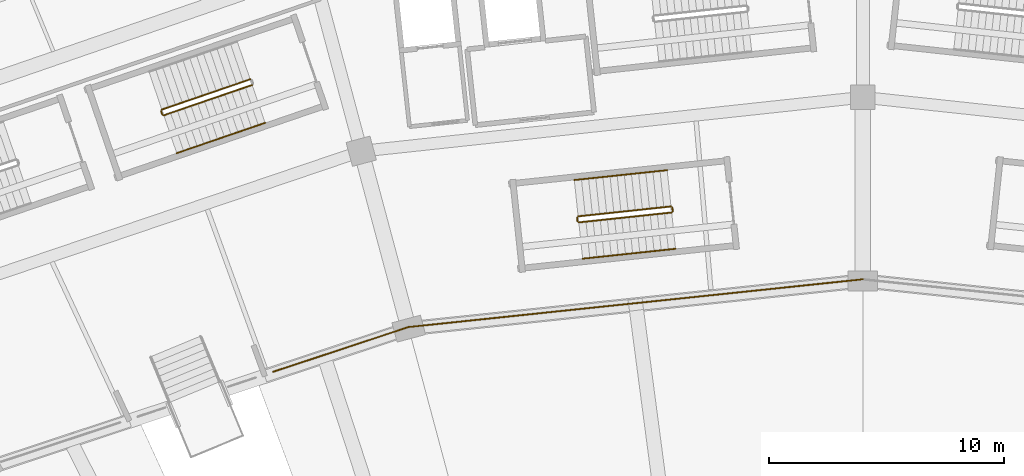
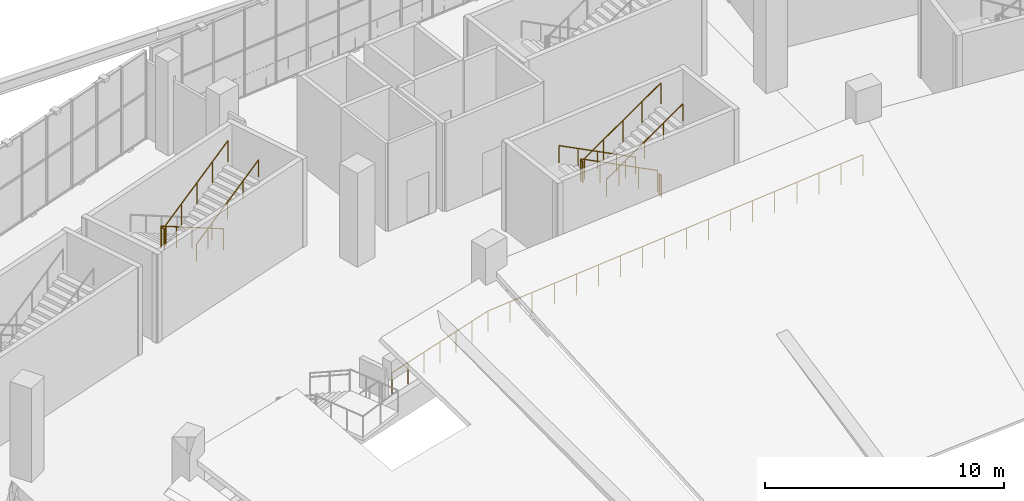
# One storey, part 166 of 183: 12 railings.
"""IFC4 building model written with IfcOpenShell, lengths in metres."""

from ifc_helpers import new_model, si_unit, direction, frame, origin, origin_2d, place, context, subcontext, project, spatial, circle, extrude, material, type_object, element, save


model = new_model("IFC4")

# Units and contexts
model_context = context("Model", 3, precision=1e-05, world=origin(), true_north=direction((0.0, 1.0)))
body_context = subcontext(model_context, "Body", "Model", "MODEL_VIEW")
ifc_project = project(units=[si_unit("LENGTHUNIT", "METRE"), si_unit("AREAUNIT", "SQUARE_METRE"), si_unit("VOLUMEUNIT", "CUBIC_METRE"), si_unit("PLANEANGLEUNIT", "RADIAN"), si_unit("MASSUNIT", "GRAM", prefix="KILO")], contexts=[model_context])

# Site, building, storey
site_placement = place(None, origin())
site = spatial("IfcSite", under=ifc_project, at=site_placement, CompositionType="ELEMENT")
building_placement = place(site_placement, origin())
building = spatial("IfcBuilding", under=site, at=building_placement, Name="Zevraka Park Crest Stadium", CompositionType="ELEMENT")
storey_placement = place(building_placement, frame((0.0, 0.0, 5.39990234375)))
storey = spatial("IfcBuildingStorey", under=building, at=storey_placement, Name="L01", CompositionType="ELEMENT", Elevation=5.39990234375)

# Railings
ifc_material_1 = material(Name="Galvanised and bronze-finished steel balustrade", Category="steel")
railing_type_1 = type_object("IfcRailingType", Name="GR01", PredefinedType="GUARDRAIL", material=ifc_material_1)
railing_1_placement = place(storey_placement, frame((112.00390625, 151.570068359375, 0.0)))
element("IfcRailing", 1, at=railing_1_placement, inside=storey, type_object=railing_type_1, Name="Deck Edge Protection Guardrail GR01 L01-88", PredefinedType="GUARDRAIL", context=body_context, shape_type="SweptSolid", body=[
    extrude(circle(Radius=0.02392578125, at=origin_2d()), frame((0.0, 0.0, 1.076171875), z_axis=(-0.994524402359, -0.104504608089, 0.0), x_axis=(0.104504608089, -0.994524402359, 0.0)), (0.0, 0.0, 1.0), 19.397216796875),
    extrude(circle(Radius=0.02099609375, at=origin_2d()), origin(), (0.0, 0.0, 1.0), 1.052001953125),
    extrude(circle(Radius=0.02099609375, at=origin_2d()), frame((-1.134765625, -0.119140625, 0.0)), (0.0, 0.0, 1.0), 1.052001953125),
    extrude(circle(Radius=0.02099609375, at=origin_2d()), frame((-2.26953125, -0.238525390625, 0.0)), (0.0, 0.0, 1.0), 1.052001953125),
    extrude(circle(Radius=0.02099609375, at=origin_2d()), frame((-3.404296875, -0.357666015625, 0.0)), (0.0, 0.0, 1.0), 1.052001953125),
    extrude(circle(Radius=0.02099609375, at=origin_2d()), frame((-4.5390625, -0.47705078125, 0.0)), (0.0, 0.0, 1.0), 1.052001953125),
    extrude(circle(Radius=0.02099609375, at=origin_2d()), frame((-5.673828125, -0.59619140625, 0.0)), (0.0, 0.0, 1.0), 1.052001953125),
    extrude(circle(Radius=0.02099609375, at=origin_2d()), frame((-6.80859375, -0.71533203125, 0.0)), (0.0, 0.0, 1.0), 1.052001953125),
    extrude(circle(Radius=0.02099609375, at=origin_2d()), frame((-7.943359375, -0.834716796875, 0.0)), (0.0, 0.0, 1.0), 1.052001953125),
    extrude(circle(Radius=0.02099609375, at=origin_2d()), frame((-9.078125, -0.953857421875, 0.0)), (0.0, 0.0, 1.0), 1.052001953125),
    extrude(circle(Radius=0.02099609375, at=origin_2d()), frame((-10.212890625, -1.0732421875, 0.0)), (0.0, 0.0, 1.0), 1.052001953125),
    extrude(circle(Radius=0.02099609375, at=origin_2d()), frame((-11.34765625, -1.1923828125, 0.0)), (0.0, 0.0, 1.0), 1.052001953125),
    extrude(circle(Radius=0.02099609375, at=origin_2d()), frame((-12.482421875, -1.311767578125, 0.0)), (0.0, 0.0, 1.0), 1.052001953125),
    extrude(circle(Radius=0.02099609375, at=origin_2d()), frame((-13.6171875, -1.430908203125, 0.0)), (0.0, 0.0, 1.0), 1.052001953125),
    extrude(circle(Radius=0.02099609375, at=origin_2d()), frame((-14.751953125, -1.550048828125, 0.0)), (0.0, 0.0, 1.0), 1.052001953125),
    extrude(circle(Radius=0.02099609375, at=origin_2d()), frame((-15.88671875, -1.66943359375, 0.0)), (0.0, 0.0, 1.0), 1.052001953125),
    extrude(circle(Radius=0.02099609375, at=origin_2d()), frame((-17.021484375, -1.78857421875, 0.0)), (0.0, 0.0, 1.0), 1.052001953125),
    extrude(circle(Radius=0.02099609375, at=origin_2d()), frame((-18.15625, -1.907958984375, 0.0)), (0.0, 0.0, 1.0), 1.052001953125),
    extrude(circle(Radius=0.02099609375, at=origin_2d()), frame((-19.291015625, -2.027099609375, 0.0)), (0.0, 0.0, 1.0), 1.052001953125),
])
railing_2_placement = place(storey_placement, frame((92.712890625, 149.54296875, 0.0)))
element("IfcRailing", 2, at=railing_2_placement, inside=storey, type_object=railing_type_1, Name="Deck Edge Protection Guardrail GR01 L01-89", PredefinedType="GUARDRAIL", context=body_context, shape_type="SweptSolid", body=[
    extrude(circle(Radius=0.02392578125, at=origin_2d()), frame((0.0, 0.0, 1.076171875), z_axis=(-0.949481418616, -0.313823255517, 0.0), x_axis=(0.313823255517, -0.949481418616, 0.0)), (0.0, 0.0, 1.0), 6.064208984375),
    extrude(circle(Radius=0.02099609375, at=origin_2d()), origin(), (0.0, 0.0, 1.0), 1.052001953125),
    extrude(circle(Radius=0.02099609375, at=origin_2d()), frame((-0.959716796875, -0.317138671875, 0.0)), (0.0, 0.0, 1.0), 1.052001953125),
    extrude(circle(Radius=0.02099609375, at=origin_2d()), frame((-1.919189453125, -0.63427734375, 0.0)), (0.0, 0.0, 1.0), 1.052001953125),
    extrude(circle(Radius=0.02099609375, at=origin_2d()), frame((-2.87890625, -0.95166015625, 0.0)), (0.0, 0.0, 1.0), 1.052001953125),
    extrude(circle(Radius=0.02099609375, at=origin_2d()), frame((-3.838623046875, -1.268798828125, 0.0)), (0.0, 0.0, 1.0), 1.052001953125),
    extrude(circle(Radius=0.02099609375, at=origin_2d()), frame((-4.798095703125, -1.5859375, 0.0)), (0.0, 0.0, 1.0), 1.052001953125),
    extrude(circle(Radius=0.02099609375, at=origin_2d()), frame((-5.7578125, -1.903076171875, 0.0)), (0.0, 0.0, 1.0), 1.052001953125),
])
ifc_material_2 = material(Name="Powder-coated tubular steel stairwell guard", Category="steel")
railing_type_2 = type_object("IfcRailingType", Name="GR03", PredefinedType="GUARDRAIL", material=ifc_material_2)
railing_3_placement = place(storey_placement, frame((85.98388671875, 160.0634765625, 0.171630859375)))
element("IfcRailing", 3, at=railing_3_placement, inside=storey, type_object=railing_type_2, Name="L01 ST08 stair guard 1", PredefinedType="GUARDRAIL", context=body_context, shape_type="SweptSolid", body=[
    extrude(circle(Radius=0.02392578125, at=origin_2d()), frame((0.0, 0.0, 1.076171875), z_axis=(-0.824726794133, -0.282441418206, 0.489951589772), x_axis=(0.32399372979, -0.946059228091, 0.0)), (0.0, 0.0, 1.0), 4.54833984375),
    extrude(circle(Radius=0.02099609375, at=origin_2d()), origin(), (0.0, 0.0, 1.0), 1.052001953125),
    extrude(circle(Radius=0.02099609375, at=origin_2d()), frame((-0.937744140625, -0.3212890625, 0.55712890625)), (0.0, 0.0, 1.0), 1.052001953125),
    extrude(circle(Radius=0.02099609375, at=origin_2d()), frame((-1.87548828125, -0.642333984375, 1.1142578125)), (0.0, 0.0, 1.0), 1.052001953125),
    extrude(circle(Radius=0.02099609375, at=origin_2d()), frame((-2.8134765625, -0.96337890625, 1.67138671875)), (0.0, 0.0, 1.0), 1.052001953125),
    extrude(circle(Radius=0.02099609375, at=origin_2d()), frame((-3.751220703125, -1.28466796875, 2.228515625)), (0.0, 0.0, 1.0), 1.052001953125),
])
railing_4_placement = place(storey_placement, frame((82.201416015625, 158.71533203125, 2.400146484375)))
element("IfcRailing", 4, at=railing_4_placement, inside=storey, type_object=railing_type_2, Name="L01 ST08 stair guard 2", PredefinedType="GUARDRAIL", context=body_context, shape_type="SweptSolid", body=[
    extrude(circle(Radius=0.02392578125, at=origin_2d()), frame((0.0, 0.0, 1.076171875), z_axis=(0.324909238665, -0.945745201748, 0.0), x_axis=(0.945745201748, 0.324909238665, 0.0)), (0.0, 0.0, 1.0), 0.16015625),
    extrude(circle(Radius=0.02099609375, at=origin_2d()), origin(), (0.0, 0.0, 1.0), 1.052001953125),
    extrude(circle(Radius=0.02099609375, at=origin_2d()), frame((0.052001953125, -0.1513671875, 0.0)), (0.0, 0.0, 1.0), 1.052001953125),
])
railing_5_placement = place(storey_placement, frame((82.31689453125, 158.532958984375, 2.571533203125)))
element("IfcRailing", 5, at=railing_5_placement, inside=storey, type_object=railing_type_2, Name="L01 ST08 stair guard 3", PredefinedType="GUARDRAIL", context=body_context, shape_type="SweptSolid", body=[
    extrude(circle(Radius=0.02392578125, at=origin_2d()), frame((0.0, 0.0, 1.076171875), z_axis=(0.824739296281, 0.282392023283, 0.489959017016), x_axis=(-0.323938619155, 0.946078099852, 0.0)), (0.0, 0.0, 1.0), 4.54833984375),
    extrude(circle(Radius=0.02099609375, at=origin_2d()), origin(), (0.0, 0.0, 1.0), 1.052001953125),
    extrude(circle(Radius=0.02099609375, at=origin_2d()), frame((0.937744140625, 0.321044921875, 0.55712890625)), (0.0, 0.0, 1.0), 1.052001953125),
    extrude(circle(Radius=0.02099609375, at=origin_2d()), frame((1.87548828125, 0.64208984375, 1.1142578125)), (0.0, 0.0, 1.0), 1.052001953125),
    extrude(circle(Radius=0.02099609375, at=origin_2d()), frame((2.8134765625, 0.96337890625, 1.67138671875)), (0.0, 0.0, 1.0), 1.052001953125),
    extrude(circle(Radius=0.02099609375, at=origin_2d()), frame((3.751220703125, 1.284423828125, 2.228515625)), (0.0, 0.0, 1.0), 1.052001953125),
])
railing_6_placement = place(storey_placement, frame((103.854248046875, 154.66357421875, 0.171630859375)))
element("IfcRailing", 6, at=railing_6_placement, inside=storey, type_object=railing_type_2, Name="L01 ST36 stair guard 1", PredefinedType="GUARDRAIL", context=body_context, shape_type="SweptSolid", body=[
    extrude(circle(Radius=0.02392578125, at=origin_2d()), frame((0.0, 0.0, 1.076171875), z_axis=(-0.866855218528, -0.092267747409, 0.489947643017), x_axis=(0.105841755596, -0.994382985963, 0.0)), (0.0, 0.0, 1.0), 4.548583984375),
    extrude(circle(Radius=0.02099609375, at=origin_2d()), origin(), (0.0, 0.0, 1.0), 1.052001953125),
    extrude(circle(Radius=0.02099609375, at=origin_2d()), frame((-0.98583984375, -0.10498046875, 0.55712890625)), (0.0, 0.0, 1.0), 1.052001953125),
    extrude(circle(Radius=0.02099609375, at=origin_2d()), frame((-1.971435546875, -0.2099609375, 1.1142578125)), (0.0, 0.0, 1.0), 1.052001953125),
    extrude(circle(Radius=0.02099609375, at=origin_2d()), frame((-2.95703125, -0.314697265625, 1.67138671875)), (0.0, 0.0, 1.0), 1.052001953125),
    extrude(circle(Radius=0.02099609375, at=origin_2d()), frame((-3.94287109375, -0.419677734375, 2.228515625)), (0.0, 0.0, 1.0), 1.052001953125),
])
railing_7_placement = place(storey_placement, frame((99.866943359375, 154.18896484375, 2.400146484375)))
element("IfcRailing", 7, at=railing_7_placement, inside=storey, type_object=railing_type_2, Name="L01 ST36 stair guard 2", PredefinedType="GUARDRAIL", context=body_context, shape_type="SweptSolid", body=[
    extrude(circle(Radius=0.02392578125, at=origin_2d()), frame((0.0, 0.0, 1.076171875), z_axis=(0.106748502729, -0.994286053993, 0.0), x_axis=(0.994286053993, 0.106748502729, 0.0)), (0.0, 0.0, 1.0), 0.16015625),
    extrude(circle(Radius=0.02099609375, at=origin_2d()), origin(), (0.0, 0.0, 1.0), 1.052001953125),
    extrude(circle(Radius=0.02099609375, at=origin_2d()), frame((0.01708984375, -0.1591796875, 0.0)), (0.0, 0.0, 1.0), 1.052001953125),
])
railing_8_placement = place(storey_placement, frame((99.93896484375, 153.9853515625, 2.571533203125)))
element("IfcRailing", 8, at=railing_8_placement, inside=storey, type_object=railing_type_2, Name="L01 ST36 stair guard 3", PredefinedType="GUARDRAIL", context=body_context, shape_type="SweptSolid", body=[
    extrude(circle(Radius=0.02392578125, at=origin_2d()), frame((0.0, 0.0, 1.076171875), z_axis=(0.866841875969, 0.092272040671, 0.489970440513), x_axis=(-0.105848236242, 0.994382296144, 0.0)), (0.0, 0.0, 1.0), 4.54833984375),
    extrude(circle(Radius=0.02099609375, at=origin_2d()), origin(), (0.0, 0.0, 1.0), 1.052001953125),
    extrude(circle(Radius=0.02099609375, at=origin_2d()), frame((0.985595703125, 0.10498046875, 0.55712890625)), (0.0, 0.0, 1.0), 1.052001953125),
    extrude(circle(Radius=0.02099609375, at=origin_2d()), frame((1.97119140625, 0.2099609375, 1.1142578125)), (0.0, 0.0, 1.0), 1.052001953125),
    extrude(circle(Radius=0.02099609375, at=origin_2d()), frame((2.95703125, 0.314697265625, 1.67138671875)), (0.0, 0.0, 1.0), 1.052001953125),
    extrude(circle(Radius=0.02099609375, at=origin_2d()), frame((3.942626953125, 0.419677734375, 2.228515625)), (0.0, 0.0, 1.0), 1.052001953125),
])
railing_9_placement = place(storey_placement, frame((103.9091796875, 154.619140625, 0.0)))
element("IfcRailing", 9, at=railing_9_placement, inside=storey, type_object=railing_type_2, Name="L01 ST36 stair guard 4", PredefinedType="GUARDRAIL", context=body_context, shape_type="SweptSolid", body=[
    extrude(circle(Radius=0.02392578125, at=origin_2d()), frame((0.0, 0.0, 1.076171875), z_axis=(0.105400400395, -0.994429864594, 0.0), x_axis=(0.994429864594, 0.105400400395, 0.0)), (0.0, 0.0, 1.0), 0.159912109375),
    extrude(circle(Radius=0.02099609375, at=origin_2d()), origin(), (0.0, 0.0, 1.0), 1.052001953125),
    extrude(circle(Radius=0.02099609375, at=origin_2d()), frame((0.016845703125, -0.158935546875, 0.0)), (0.0, 0.0, 1.0), 1.052001953125),
])
ifc_material_3 = material(Name="Brushed stainless steel continuous handrail", Category="steel")
railing_type_3 = type_object("IfcRailingType", Name="HR01", PredefinedType="HANDRAIL", material=ifc_material_3)
railing_10_placement = place(storey_placement, frame((82.86767578125, 156.924560546875, 2.571533203125)))
element("IfcRailing", 10, at=railing_10_placement, inside=storey, type_object=railing_type_3, Name="L01 ST08 stair handrail 2", PredefinedType="HANDRAIL", context=body_context, shape_type="SweptSolid", body=[
    extrude(circle(Radius=0.02392578125, at=origin_2d()), frame((0.0, 0.0, 0.8759765625), z_axis=(0.824726794133, 0.282441418206, 0.489951589772), x_axis=(-0.32399372979, 0.946059228091, 0.0)), (0.0, 0.0, 1.0), 4.54833984375),
    extrude(circle(Radius=0.02099609375, at=origin_2d()), origin(), (0.0, 0.0, 1.0), 0.851806640625),
    extrude(circle(Radius=0.02099609375, at=origin_2d()), frame((0.937744140625, 0.3212890625, 0.55712890625)), (0.0, 0.0, 1.0), 0.851806640625),
    extrude(circle(Radius=0.02099609375, at=origin_2d()), frame((1.87548828125, 0.642333984375, 1.1142578125)), (0.0, 0.0, 1.0), 0.851806640625),
    extrude(circle(Radius=0.02099609375, at=origin_2d()), frame((2.8134765625, 0.96337890625, 1.67138671875)), (0.0, 0.0, 1.0), 0.851806640625),
    extrude(circle(Radius=0.02099609375, at=origin_2d()), frame((3.751220703125, 1.28466796875, 2.228515625)), (0.0, 0.0, 1.0), 0.851806640625),
])
railing_11_placement = place(storey_placement, frame((103.68994140625, 156.204833984375, 0.171630859375)))
element("IfcRailing", 11, at=railing_11_placement, inside=storey, type_object=railing_type_3, Name="L01 ST36 stair handrail 1", PredefinedType="HANDRAIL", context=body_context, shape_type="SweptSolid", body=[
    extrude(circle(Radius=0.02392578125, at=origin_2d()), frame((0.0, 0.0, 0.8759765625), z_axis=(-0.866841875969, -0.092272040671, 0.489970440513), x_axis=(0.105848236242, -0.994382296144, 0.0)), (0.0, 0.0, 1.0), 4.54833984375),
    extrude(circle(Radius=0.02099609375, at=origin_2d()), origin(), (0.0, 0.0, 1.0), 0.851806640625),
    extrude(circle(Radius=0.02099609375, at=origin_2d()), frame((-0.985595703125, -0.10498046875, 0.55712890625)), (0.0, 0.0, 1.0), 0.851806640625),
    extrude(circle(Radius=0.02099609375, at=origin_2d()), frame((-1.97119140625, -0.2099609375, 1.1142578125)), (0.0, 0.0, 1.0), 0.851806640625),
    extrude(circle(Radius=0.02099609375, at=origin_2d()), frame((-2.95703125, -0.314697265625, 1.67138671875)), (0.0, 0.0, 1.0), 0.851806640625),
    extrude(circle(Radius=0.02099609375, at=origin_2d()), frame((-3.942626953125, -0.419677734375, 2.228515625)), (0.0, 0.0, 1.0), 0.851806640625),
])
railing_12_placement = place(storey_placement, frame((100.10302734375, 152.444091796875, 2.571533203125)))
element("IfcRailing", 12, at=railing_12_placement, inside=storey, type_object=railing_type_3, Name="L01 ST36 stair handrail 2", PredefinedType="HANDRAIL", context=body_context, shape_type="SweptSolid", body=[
    extrude(circle(Radius=0.02392578125, at=origin_2d()), frame((0.0, 0.0, 0.8759765625), z_axis=(0.866841875969, 0.092272040671, 0.489970440513), x_axis=(-0.105848236242, 0.994382296144, 0.0)), (0.0, 0.0, 1.0), 4.54833984375),
    extrude(circle(Radius=0.02099609375, at=origin_2d()), origin(), (0.0, 0.0, 1.0), 0.851806640625),
    extrude(circle(Radius=0.02099609375, at=origin_2d()), frame((0.985595703125, 0.10498046875, 0.55712890625)), (0.0, 0.0, 1.0), 0.851806640625),
    extrude(circle(Radius=0.02099609375, at=origin_2d()), frame((1.97119140625, 0.2099609375, 1.1142578125)), (0.0, 0.0, 1.0), 0.851806640625),
    extrude(circle(Radius=0.02099609375, at=origin_2d()), frame((2.95703125, 0.314697265625, 1.67138671875)), (0.0, 0.0, 1.0), 0.851806640625),
    extrude(circle(Radius=0.02099609375, at=origin_2d()), frame((3.942626953125, 0.419677734375, 2.228515625)), (0.0, 0.0, 1.0), 0.851806640625),
])

save(model, "model.ifc")
